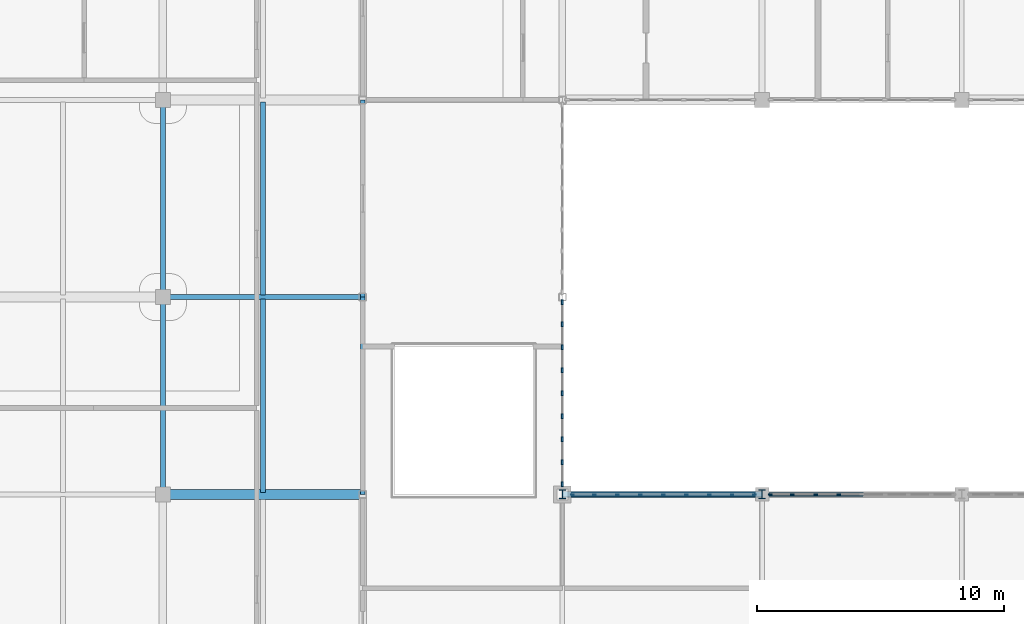
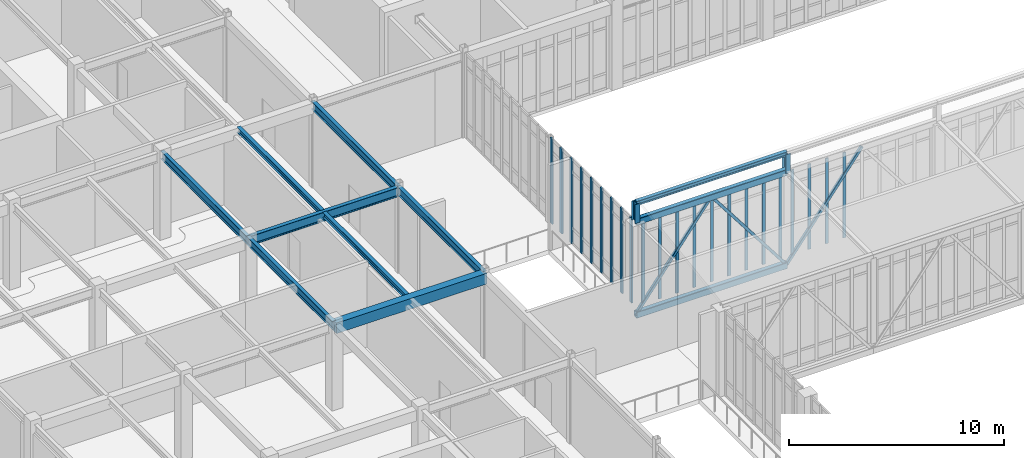
# One storey, part 27 of 107: 29 members, 9 beams, 3 elements without a shape of their own.
"""IFC4 building model written with IfcOpenShell, lengths in metres."""

import ifcopenshell
import ifcopenshell.guid

model = None  # the IFC model being written
_history = None  # IfcOwnerHistory: only IFC2X3 demands one
_inside = {}  # id of a spatial element -> (the spatial element, [elements in it])
_under = {}  # id of a project, library or spatial element -> (it, [spatial elements below it])
_declared = {}  # id of a project -> (the project, [libraries it declares])
_typed = {}  # id of a type object -> (the type object, [elements of that type])
_made_of = {}  # id of a material, layer set ... -> (it, [elements and type objects made of it])


def new_model(schema):
    """Start an empty IFC model of exactly this schema.

    Asked for "IFC4X3", IfcOpenShell would pick the latest addendum, in which some entities
    have other attributes; the version numbers below select the first issue.
    IFC2X3 requires an IfcOwnerHistory on every rooted entity: one is made here for all.
    """
    global model, _history
    if schema == "IFC4X3":
        model = ifcopenshell.file(schema_version=(4, 3, 0, 0))
    else:
        model = ifcopenshell.file(schema=schema)
    _inside.clear()
    _under.clear()
    _declared.clear()
    _typed.clear()
    _made_of.clear()
    _history = None
    if model.schema == "IFC2X3":
        org = make("IfcOrganization", Name="unknown")
        user = make(
            "IfcPersonAndOrganization",
            ThePerson=make("IfcPerson", FamilyName="unknown"),
            TheOrganization=org,
        )
        app = make(
            "IfcApplication",
            ApplicationDeveloper=org,
            Version="unknown",
            ApplicationFullName="unknown",
            ApplicationIdentifier="unknown",
        )
        _history = make(
            "IfcOwnerHistory",
            OwningUser=user,
            OwningApplication=app,
            ChangeAction="ADDED",
            CreationDate=0,
        )
    return model


def make(cls, **values):
    """One entity of the class cls with the attributes given. An attribute that is None is left unset."""
    return model.create_entity(
        cls, **{name: value for name, value in values.items() if value is not None}
    )


def rooted(cls, **values):
    """An entity with a GlobalId (a new one), such as an element, a storey or a relation."""
    return make(cls, GlobalId=ifcopenshell.guid.new(), OwnerHistory=_history, **values)


def si_unit(unit_type, name, prefix=None):
    """IfcSIUnit, for example si_unit("LENGTHUNIT", "METRE", prefix="MILLI")."""
    return make("IfcSIUnit", UnitType=unit_type, Prefix=prefix, Name=name)


def assignment(units):
    """IfcUnitAssignment: the units of a project."""
    return None if units is None else make("IfcUnitAssignment", Units=units)


def point(xyz):
    """IfcCartesianPoint."""
    return None if xyz is None else make("IfcCartesianPoint", Coordinates=xyz)


def direction(xyz):
    """IfcDirection."""
    return None if xyz is None else make("IfcDirection", DirectionRatios=xyz)


def frame(location, z_axis=None, x_axis=None):
    """IfcAxis2Placement3D, a coordinate frame: its origin and axes. An axis left out is left unset."""
    return make(
        "IfcAxis2Placement3D",
        Location=point(location),
        Axis=direction(z_axis),
        RefDirection=direction(x_axis),
    )


def frame_2d(location, x_axis=None):
    """IfcAxis2Placement2D, a coordinate frame in the plane: its origin and x axis."""
    return make(
        "IfcAxis2Placement2D", Location=point(location), RefDirection=direction(x_axis)
    )


def origin():
    """The frame at (0, 0, 0) with its axes left unset."""
    return frame((0.0, 0.0, 0.0))


def origin_2d():
    """The frame at (0, 0) in the plane with its x axis left unset."""
    return frame_2d((0.0, 0.0))


def place(relative_to, where):
    """IfcLocalPlacement: puts the frame where relative to a parent placement (None: the world)."""
    return make(
        "IfcLocalPlacement", PlacementRelTo=relative_to, RelativePlacement=where
    )


def context(
    kind, dimensions, precision=None, world=None, true_north=None, identifier=None
):
    """IfcGeometricRepresentationContext, for example the 3D "Model" context."""
    return make(
        "IfcGeometricRepresentationContext",
        ContextIdentifier=identifier,
        ContextType=kind,
        CoordinateSpaceDimension=dimensions,
        Precision=precision,
        WorldCoordinateSystem=world,
        TrueNorth=true_north,
    )


def subcontext(parent, identifier, kind, view, scale=None):
    """IfcGeometricRepresentationSubContext, for example "Body" below "Model"."""
    return make(
        "IfcGeometricRepresentationSubContext",
        ContextIdentifier=identifier,
        ContextType=kind,
        ParentContext=parent,
        TargetScale=scale,
        TargetView=view,
    )


def project(units=None, contexts=None):
    """IfcProject with its units and contexts."""
    return rooted(
        "IfcProject",
        Name="project",
        RepresentationContexts=contexts,
        UnitsInContext=assignment(units),
    )


def spatial(cls, under=None, at=None, **own):
    """A site, building, storey or space (cls), placed at a placement, below another one or the project."""
    s = rooted(cls, ObjectPlacement=at, **own)
    if under is not None:
        _under.setdefault(under.id(), (under, []))[1].append(s)
    return s


def profile(cls, at=None, kind="AREA", **sizes):
    """A parametric profile (cls). Its sizes go by their IFC names, for example OverallWidth=200.0."""
    return make(cls, ProfileType=kind, Position=at, **sizes)


def rectangle(**sizes):
    """IfcRectangleProfileDef."""
    return profile("IfcRectangleProfileDef", **sizes)


def hollow_rectangle(**sizes):
    """IfcRectangleHollowProfileDef."""
    return profile("IfcRectangleHollowProfileDef", **sizes)


def i_section(**sizes):
    """IfcIShapeProfileDef."""
    return profile("IfcIShapeProfileDef", **sizes)


def extrude(swept, where, along, depth):
    """IfcExtrudedAreaSolid: the profile swept, set in the frame where, extruded along a direction by depth."""
    return make(
        "IfcExtrudedAreaSolid",
        SweptArea=swept,
        Position=where,
        ExtrudedDirection=direction(along),
        Depth=depth,
    )


def shape(context_of_items, identifier, shape_type, items):
    """IfcShapeRepresentation: the items that make up one representation, for example the "Body"."""
    return make(
        "IfcShapeRepresentation",
        ContextOfItems=context_of_items,
        RepresentationIdentifier=identifier,
        RepresentationType=shape_type,
        Items=items,
    )


def material(Name=None, Category=None):
    """IfcMaterial."""
    return make("IfcMaterial", Name=Name, Category=Category)


def material_profile(
    of_material, cross_section, Name=None, Category=None, Priority=None
):
    """IfcMaterialProfile: a cross section and its material."""
    return make(
        "IfcMaterialProfile",
        Name=Name,
        Material=of_material,
        Profile=cross_section,
        Priority=Priority,
        Category=Category,
    )


def profile_set(profiles, Name=None, composite=None):
    """IfcMaterialProfileSet."""
    return make(
        "IfcMaterialProfileSet",
        Name=Name,
        MaterialProfiles=profiles,
        CompositeProfile=composite,
    )


def made_of(thing, what):
    """Note that an element or type object is made of a material, layer set ...; save() writes the relation."""
    if what is not None:
        _made_of.setdefault(what.id(), (what, []))[1].append(thing)
    return thing


def type_object(cls, material=None, **own):
    """A type object (cls), such as IfcWallType, which elements share."""
    return made_of(rooted(cls, **own), material)


def element(
    cls,
    number,
    at=None,
    inside=None,
    cuts=None,
    type_object=None,
    material=None,
    context=None,
    identifier="Body",
    shape_type=None,
    held_by="IfcProductDefinitionShape",
    body=None,
    shapes=None,
    **own,
):
    """One element of the class cls, such as IfcWall. Its Tag is "e" and its number.

    at: its placement. inside: the storey or other place that contains it. cuts: it is an
    opening in that element (IfcRelVoidsElement). A single representation is given by context,
    identifier, shape_type and body (its items); several are given by shapes. held_by: the class
    of the entity that holds the representations. save() writes the other relations.
    """
    e = rooted(cls, Tag="e%d" % number, ObjectPlacement=at, **own)
    if body is not None:
        shapes = [shape(context, identifier, shape_type, body)]
    if shapes is not None:
        e.Representation = make(held_by, Representations=shapes)
    if inside is not None:
        _inside.setdefault(inside.id(), (inside, []))[1].append(e)
    if cuts is not None:
        rooted(
            "IfcRelVoidsElement", RelatingBuildingElement=cuts, RelatedOpeningElement=e
        )
    if type_object is not None:
        _typed.setdefault(type_object.id(), (type_object, []))[1].append(e)
    return made_of(e, material)


def aggregate(whole, parts):
    """IfcRelAggregates: a whole, such as a stair, and the parts it consists of."""
    return rooted("IfcRelAggregates", RelatingObject=whole, RelatedObjects=parts)


def save(model, path):
    """Write the relations noted so far, then the file.

    IfcRelAggregates (storeys below a building ...), IfcRelContainedInSpatialStructure (elements
    in a storey), IfcRelDefinesByType, IfcRelAssociatesMaterial and IfcRelDeclares: one each for
    every whole, place, type object, material and project.
    """
    for whole, parts in _under.values():
        aggregate(whole, parts)
    for where, things in _inside.values():
        rooted(
            "IfcRelContainedInSpatialStructure",
            RelatedElements=things,
            RelatingStructure=where,
        )
    for kind, things in _typed.values():
        rooted("IfcRelDefinesByType", RelatedObjects=things, RelatingType=kind)
    for what, things in _made_of.values():
        rooted("IfcRelAssociatesMaterial", RelatedObjects=things, RelatingMaterial=what)
    for by, libraries in _declared.values():
        rooted("IfcRelDeclares", RelatingContext=by, RelatedDefinitions=libraries)
    model.write(path)


model = new_model("IFC4")

# Units and contexts
model_context = context("Model", 3, precision=1e-05, world=origin(), true_north=direction((0.0, 1.0)))
body_context = subcontext(model_context, "Body", "Model", "MODEL_VIEW")
ifc_project = project(units=[si_unit("LENGTHUNIT", "METRE"), si_unit("AREAUNIT", "SQUARE_METRE"), si_unit("VOLUMEUNIT", "CUBIC_METRE"), si_unit("PLANEANGLEUNIT", "RADIAN"), si_unit("MASSUNIT", "GRAM", prefix="KILO")], contexts=[model_context])

# Site, building, storey
site_placement = place(None, origin())
site = spatial("IfcSite", under=ifc_project, at=site_placement, CompositionType="ELEMENT")
building_placement = place(site_placement, origin())
building = spatial("IfcBuilding", under=site, at=building_placement, Name="Tarnveldt Square Police Headquarters", CompositionType="ELEMENT")
storey_placement = place(building_placement, frame((0.0, 0.0, 14.699951171875)))
storey = spatial("IfcBuildingStorey", under=building, at=storey_placement, Name="L03", CompositionType="ELEMENT", Elevation=14.699951171875)

# Beams
ifc_material_1 = material(Name="Concrete 40 MPa", Category="concrete")
ifc_material_profile_1 = material_profile(ifc_material_1, rectangle(XDim=0.39990234375, YDim=0.60009765625, at=origin_2d()), Name="RC-B400x600")
ifc_profile_set_1 = profile_set([ifc_material_profile_1], Name="Concrete 40 MPa")
beam_type_1 = type_object("IfcBeamType", Name="BM-RC400x600", PredefinedType="BEAM", material=ifc_profile_set_1)
beam_1_placement = place(storey_placement, frame((32.39990234375, 80.0, 4.5400390625), z_axis=(1.0, 0.0, 0.0), x_axis=(0.0, 1.0, 0.0)))
element("IfcBeam", 1, at=beam_1_placement, inside=storey, type_object=beam_type_1, Name="L04 Grid Girder X-0824", PredefinedType="BEAM", context=body_context, shape_type="SweptSolid", body=[
    extrude(rectangle(XDim=0.39990234375, YDim=0.60009765625, at=origin_2d()), origin(), (0.0, 0.0, 1.0), 8.10009765625),
])
ifc_material_2 = material(Name="Steel 350W", Category="steel")
ifc_material_profile_2 = material_profile(ifc_material_2, i_section(OverallWidth=0.202880859375, OverallDepth=0.251953125, WebThickness=0.008056640625, FlangeThickness=0.013427734375, FilletRadius=0.012939453125, at=origin_2d()), Name="W250x58")
ifc_profile_set_2 = profile_set([ifc_material_profile_2], Name="Steel 350W")
beam_type_2 = type_object("IfcBeamType", Name="BM-W250x58", PredefinedType="BEAM", material=ifc_profile_set_2)
beam_2_placement = place(storey_placement, frame((48.60009765625, 80.0, 5.89013671875), z_axis=(1.0, 0.0, 0.0), x_axis=(0.0, 1.0, 0.0)))
element("IfcBeam", 2, at=beam_2_placement, inside=storey, type_object=beam_type_2, Name="Skybridge SBN High Eave Beam 1", PredefinedType="BEAM", context=body_context, shape_type="SweptSolid", body=[
    extrude(i_section(OverallWidth=0.202880859375, OverallDepth=0.251953125, WebThickness=0.008056640625, FlangeThickness=0.013427734375, FilletRadius=0.012939453125, at=origin_2d()), origin(), (0.0, 0.0, 1.0), 8.099853515625),
])
ifc_material_profile_3 = material_profile(ifc_material_2, i_section(OverallWidth=0.202880859375, OverallDepth=0.302978515625, WebThickness=0.007568359375, FlangeThickness=0.01318359375, FilletRadius=0.014892578125, at=origin_2d()), Name="W310x60")
ifc_profile_set_3 = profile_set([ifc_material_profile_3], Name="Steel 350W")
beam_type_3 = type_object("IfcBeamType", Name="BM-W310x60", PredefinedType="JOIST", material=ifc_profile_set_3)
for number, where, z_axis, x_axis, name in (
    (3, (36.449951171875, 80.080078125, 4.6884765625), (0.0, 1.0, 0.0), (-1.0, 0.0, 0.0), "L04 Secondary Floor Joist 0192"),
    (4, (36.449951171875, 88.080078125, 4.6884765625), (0.0, 1.0, 0.0), (-1.0, 0.0, 0.0), "L04 Secondary Floor Joist 0196"),
):
    element("IfcBeam", number, at=place(storey_placement, frame(where, z_axis=z_axis, x_axis=x_axis)), inside=storey, type_object=beam_type_3, Name=name, PredefinedType="JOIST", context=body_context, shape_type="SweptSolid", body=[
        extrude(i_section(OverallWidth=0.202880859375, OverallDepth=0.302978515625, WebThickness=0.007568359375, FlangeThickness=0.01318359375, FilletRadius=0.014892578125, at=origin_2d()), origin(), (0.0, 0.0, 1.0), 7.83984375),
    ])
ifc_material_profile_4 = material_profile(ifc_material_2, i_section(OverallWidth=0.19189453125, OverallDepth=0.462890625, WebThickness=0.010498046875, FlangeThickness=0.017578125, FilletRadius=0.01806640625, at=origin_2d()), Name="W460x89")
ifc_profile_set_4 = profile_set([ifc_material_profile_4], Name="Steel 350W")
beam_type_4 = type_object("IfcBeamType", Name="BM-W460x89", PredefinedType="BEAM", material=ifc_profile_set_4)
for number, where, z_axis, x_axis, name in (
    (5, (32.39990234375, 80.0, 4.608642578125), (0.0, 1.0, 0.0), (-1.0, 0.0, 0.0), "L04 Grid Girder Y-0881"),
    (6, (32.39990234375, 88.0, 4.608642578125), (0.0, 1.0, 0.0), (-1.0, 0.0, 0.0), "L04 Grid Girder Y-0882"),
    (7, (40.5, 80.0, 4.608642578125), (0.0, 1.0, 0.0), (-1.0, 0.0, 0.0), "L04 Grid Girder Y-0890"),
    (8, (40.5, 88.0, 4.608642578125), (0.0, 1.0, 0.0), (-1.0, 0.0, 0.0), "L04 Grid Girder Y-0891"),
):
    element("IfcBeam", number, at=place(storey_placement, frame(where, z_axis=z_axis, x_axis=x_axis)), inside=storey, type_object=beam_type_4, Name=name, PredefinedType="BEAM", context=body_context, shape_type="SweptSolid", body=[
        extrude(i_section(OverallWidth=0.19189453125, OverallDepth=0.462890625, WebThickness=0.010498046875, FlangeThickness=0.017578125, FilletRadius=0.01806640625, at=origin_2d()), origin(), (0.0, 0.0, 1.0), 8.0),
    ])
ifc_material_profile_5 = material_profile(ifc_material_2, i_section(OverallWidth=0.208984375, OverallDepth=0.532958984375, WebThickness=0.01025390625, FlangeThickness=0.015625, FilletRadius=0.01904296875, at=origin_2d()), Name="W530x92")
ifc_profile_set_5 = profile_set([ifc_material_profile_5], Name="Steel 350W")
beam_type_5 = type_object("IfcBeamType", Name="BM-W530x92", PredefinedType="BEAM", material=ifc_profile_set_5)
beam_3_placement = place(storey_placement, frame((32.39990234375, 88.0, 4.573486328125), z_axis=(1.0, 0.0, 0.0), x_axis=(0.0, 1.0, 0.0)))
element("IfcBeam", 9, at=beam_3_placement, inside=storey, type_object=beam_type_5, Name="L04 Grid Girder X-0829", PredefinedType="BEAM", context=body_context, shape_type="SweptSolid", body=[
    extrude(i_section(OverallWidth=0.208984375, OverallDepth=0.532958984375, WebThickness=0.01025390625, FlangeThickness=0.015625, FilletRadius=0.01904296875, at=origin_2d()), origin(), (0.0, 0.0, 1.0), 8.10009765625),
])

# Curtain wall, members
ifc_material_3 = material(Name="Triple-glazed low-e laminated vision glass", Category="glass")
curtain_wall_type_1 = type_object("IfcCurtainWallType", Name="CW-SB-744x484", PredefinedType="USERDEFINED", material=ifc_material_3)
curtain_wall_1_placement = place(storey_placement, origin())
curtain_wall_1 = element("IfcCurtainWall", 10, at=curtain_wall_1_placement, inside=storey, type_object=curtain_wall_type_1, Name="L03 Curtain Wall CW-L03-159", ObjectType="GLAZED CURTAIN WALL", PredefinedType="USERDEFINED")
ifc_material_4 = material(Name="Thermally broken anodised aluminium 6063-T6", Category="aluminium")
ifc_material_profile_6 = material_profile(ifc_material_4, rectangle(XDim=0.06494140625, YDim=0.159912109375, at=origin_2d()), Name="CW-M65x160")
ifc_profile_set_6 = profile_set([ifc_material_profile_6], Name="Thermally broken anodised aluminium 6063-T6")
member_type_1 = type_object("IfcMemberType", Name="CWM-65x160", PredefinedType="MULLION", material=ifc_profile_set_6)
member_1_placement = place(storey_placement, frame((48.99755859375, 80.0, 0.0), z_axis=(0.0, 0.0, 1.0), x_axis=(0.0, 1.0, 0.0)))
member_1 = element("IfcMember", 11, at=member_1_placement, type_object=member_type_1, Name="CW-SB94 mullion 1", PredefinedType="MULLION", context=body_context, shape_type="SweptSolid", body=[
    extrude(rectangle(XDim=0.06494140625, YDim=0.159912109375, at=origin_2d()), origin(), (0.0, 0.0, 1.0), 4.840087890625),
])
member_2_placement = place(storey_placement, frame((49.8955078125, 80.0, 0.0), z_axis=(0.0, 0.0, 1.0), x_axis=(0.0, 1.0, 0.0)))
member_2 = element("IfcMember", 12, at=member_2_placement, type_object=member_type_1, Name="CW-SB94 mullion 2", PredefinedType="MULLION", context=body_context, shape_type="SweptSolid", body=[
    extrude(rectangle(XDim=0.06494140625, YDim=0.159912109375, at=origin_2d()), origin(), (0.0, 0.0, 1.0), 4.840087890625),
])
member_3_placement = place(storey_placement, frame((50.826171875, 80.0, 0.0), z_axis=(0.0, 0.0, 1.0), x_axis=(0.0, 1.0, 0.0)))
member_3 = element("IfcMember", 13, at=member_3_placement, type_object=member_type_1, Name="CW-SB94 mullion 3", PredefinedType="MULLION", context=body_context, shape_type="SweptSolid", body=[
    extrude(rectangle(XDim=0.06494140625, YDim=0.159912109375, at=origin_2d()), origin(), (0.0, 0.0, 1.0), 4.840087890625),
])
member_4_placement = place(storey_placement, frame((51.7568359375, 80.0, 0.0), z_axis=(0.0, 0.0, 1.0), x_axis=(0.0, 1.0, 0.0)))
member_4 = element("IfcMember", 14, at=member_4_placement, type_object=member_type_1, Name="CW-SB94 mullion 4", PredefinedType="MULLION", context=body_context, shape_type="SweptSolid", body=[
    extrude(rectangle(XDim=0.06494140625, YDim=0.159912109375, at=origin_2d()), origin(), (0.0, 0.0, 1.0), 4.840087890625),
])
member_5_placement = place(storey_placement, frame((52.6875, 80.0, 0.0), z_axis=(0.0, 0.0, 1.0), x_axis=(0.0, 1.0, 0.0)))
member_5 = element("IfcMember", 15, at=member_5_placement, type_object=member_type_1, Name="CW-SB94 mullion 5", PredefinedType="MULLION", context=body_context, shape_type="SweptSolid", body=[
    extrude(rectangle(XDim=0.06494140625, YDim=0.159912109375, at=origin_2d()), origin(), (0.0, 0.0, 1.0), 4.840087890625),
])
member_6_placement = place(storey_placement, frame((53.6181640625, 80.0, 0.0), z_axis=(0.0, 0.0, 1.0), x_axis=(0.0, 1.0, 0.0)))
member_6 = element("IfcMember", 16, at=member_6_placement, type_object=member_type_1, Name="CW-SB94 mullion 6", PredefinedType="MULLION", context=body_context, shape_type="SweptSolid", body=[
    extrude(rectangle(XDim=0.06494140625, YDim=0.159912109375, at=origin_2d()), origin(), (0.0, 0.0, 1.0), 4.840087890625),
])
member_7_placement = place(storey_placement, frame((54.548828125, 80.0, 0.0), z_axis=(0.0, 0.0, 1.0), x_axis=(0.0, 1.0, 0.0)))
member_7 = element("IfcMember", 17, at=member_7_placement, type_object=member_type_1, Name="CW-SB94 mullion 7", PredefinedType="MULLION", context=body_context, shape_type="SweptSolid", body=[
    extrude(rectangle(XDim=0.06494140625, YDim=0.159912109375, at=origin_2d()), origin(), (0.0, 0.0, 1.0), 4.840087890625),
])
member_8_placement = place(storey_placement, frame((55.4794921875, 80.0, 0.0), z_axis=(0.0, 0.0, 1.0), x_axis=(0.0, 1.0, 0.0)))
member_8 = element("IfcMember", 18, at=member_8_placement, type_object=member_type_1, Name="CW-SB94 mullion 8", PredefinedType="MULLION", context=body_context, shape_type="SweptSolid", body=[
    extrude(rectangle(XDim=0.06494140625, YDim=0.159912109375, at=origin_2d()), origin(), (0.0, 0.0, 1.0), 4.840087890625),
])
member_9_placement = place(storey_placement, frame((56.37744140625, 80.0, 0.0), z_axis=(0.0, 0.0, 1.0), x_axis=(0.0, 1.0, 0.0)))
member_9 = element("IfcMember", 19, at=member_9_placement, type_object=member_type_1, Name="CW-SB94 mullion 9", PredefinedType="MULLION", context=body_context, shape_type="SweptSolid", body=[
    extrude(rectangle(XDim=0.06494140625, YDim=0.159912109375, at=origin_2d()), origin(), (0.0, 0.0, 1.0), 4.840087890625),
])
aggregate(curtain_wall_1, [member_1, member_2, member_3, member_4, member_5, member_6, member_7, member_8, member_9])

curtain_wall_type_2 = type_object("IfcCurtainWallType", Name="CW-SB-752x484", PredefinedType="USERDEFINED", material=ifc_material_3)
curtain_wall_2_placement = place(storey_placement, origin())
curtain_wall_2 = element("IfcCurtainWall", 20, at=curtain_wall_2_placement, inside=storey, type_object=curtain_wall_type_2, Name="L03 Curtain Wall CW-L03-160", ObjectType="GLAZED CURTAIN WALL", PredefinedType="USERDEFINED")
member_10_placement = place(storey_placement, frame((57.0224609375, 80.0, 0.0), z_axis=(0.0, 0.0, 1.0), x_axis=(0.0, 1.0, 0.0)))
member_10 = element("IfcMember", 21, at=member_10_placement, type_object=member_type_1, Name="CW-SB95 mullion 1", PredefinedType="MULLION", context=body_context, shape_type="SweptSolid", body=[
    extrude(rectangle(XDim=0.06494140625, YDim=0.159912109375, at=origin_2d()), origin(), (0.0, 0.0, 1.0), 4.840087890625),
])
member_11_placement = place(storey_placement, frame((57.929931640625, 80.0, 0.0), z_axis=(0.0, 0.0, 1.0), x_axis=(0.0, 1.0, 0.0)))
member_11 = element("IfcMember", 22, at=member_11_placement, type_object=member_type_1, Name="CW-SB95 mullion 2", PredefinedType="MULLION", context=body_context, shape_type="SweptSolid", body=[
    extrude(rectangle(XDim=0.06494140625, YDim=0.159912109375, at=origin_2d()), origin(), (0.0, 0.0, 1.0), 4.840087890625),
])
member_12_placement = place(storey_placement, frame((58.8701171875, 80.0, 0.0), z_axis=(0.0, 0.0, 1.0), x_axis=(0.0, 1.0, 0.0)))
member_12 = element("IfcMember", 23, at=member_12_placement, type_object=member_type_1, Name="CW-SB95 mullion 3", PredefinedType="MULLION", context=body_context, shape_type="SweptSolid", body=[
    extrude(rectangle(XDim=0.06494140625, YDim=0.159912109375, at=origin_2d()), origin(), (0.0, 0.0, 1.0), 4.840087890625),
])
member_13_placement = place(storey_placement, frame((59.81005859375, 80.0, 0.0), z_axis=(0.0, 0.0, 1.0), x_axis=(0.0, 1.0, 0.0)))
member_13 = element("IfcMember", 24, at=member_13_placement, type_object=member_type_1, Name="CW-SB95 mullion 4", PredefinedType="MULLION", context=body_context, shape_type="SweptSolid", body=[
    extrude(rectangle(XDim=0.06494140625, YDim=0.159912109375, at=origin_2d()), origin(), (0.0, 0.0, 1.0), 4.840087890625),
])
aggregate(curtain_wall_2, [member_10, member_11, member_12, member_13])

curtain_wall_type_3 = type_object("IfcCurtainWallType", Name="CW-WG-747x484", PredefinedType="USERDEFINED", material=ifc_material_3)
curtain_wall_3_placement = place(storey_placement, origin())
curtain_wall_3 = element("IfcCurtainWall", 25, at=curtain_wall_3_placement, inside=storey, type_object=curtain_wall_type_3, Name="L03 Curtain Wall CW-L03-081", ObjectType="GLAZED CURTAIN WALL", PredefinedType="USERDEFINED")
ifc_material_profile_7 = material_profile(ifc_material_4, rectangle(XDim=0.074951171875, YDim=0.199951171875, at=origin_2d()), Name="CW-M75x200")
ifc_profile_set_7 = profile_set([ifc_material_profile_7], Name="Thermally broken anodised aluminium 6063-T6")
member_type_2 = type_object("IfcMemberType", Name="CWM-75x200", PredefinedType="MULLION", material=ifc_profile_set_7)
member_14_placement = place(storey_placement, frame((48.60009765625, 80.402587890625, 0.0), z_axis=(0.0, 0.0, 1.0), x_axis=(-1.0, 0.0, 0.0)))
member_14 = element("IfcMember", 26, at=member_14_placement, type_object=member_type_2, Name="CW-WG38 mullion 1", PredefinedType="MULLION", context=body_context, shape_type="SweptSolid", body=[
    extrude(rectangle(XDim=0.074951171875, YDim=0.199951171875, at=origin_2d()), origin(), (0.0, 0.0, 1.0), 4.840087890625),
])
member_15_placement = place(storey_placement, frame((48.60009765625, 81.29833984375, 0.0), z_axis=(0.0, 0.0, 1.0), x_axis=(-1.0, 0.0, 0.0)))
member_15 = element("IfcMember", 27, at=member_15_placement, type_object=member_type_2, Name="CW-WG38 mullion 2", PredefinedType="MULLION", context=body_context, shape_type="SweptSolid", body=[
    extrude(rectangle(XDim=0.074951171875, YDim=0.199951171875, at=origin_2d()), origin(), (0.0, 0.0, 1.0), 4.840087890625),
])
member_16_placement = place(storey_placement, frame((48.60009765625, 82.23193359375, 0.0), z_axis=(0.0, 0.0, 1.0), x_axis=(-1.0, 0.0, 0.0)))
member_16 = element("IfcMember", 28, at=member_16_placement, type_object=member_type_2, Name="CW-WG38 mullion 3", PredefinedType="MULLION", context=body_context, shape_type="SweptSolid", body=[
    extrude(rectangle(XDim=0.074951171875, YDim=0.199951171875, at=origin_2d()), origin(), (0.0, 0.0, 1.0), 4.840087890625),
])
member_17_placement = place(storey_placement, frame((48.60009765625, 83.165283203125, 0.0), z_axis=(0.0, 0.0, 1.0), x_axis=(-1.0, 0.0, 0.0)))
member_17 = element("IfcMember", 29, at=member_17_placement, type_object=member_type_2, Name="CW-WG38 mullion 4", PredefinedType="MULLION", context=body_context, shape_type="SweptSolid", body=[
    extrude(rectangle(XDim=0.074951171875, YDim=0.199951171875, at=origin_2d()), origin(), (0.0, 0.0, 1.0), 4.840087890625),
])
member_18_placement = place(storey_placement, frame((48.60009765625, 84.098876953125, 0.0), z_axis=(0.0, 0.0, 1.0), x_axis=(-1.0, 0.0, 0.0)))
member_18 = element("IfcMember", 30, at=member_18_placement, type_object=member_type_2, Name="CW-WG38 mullion 5", PredefinedType="MULLION", context=body_context, shape_type="SweptSolid", body=[
    extrude(rectangle(XDim=0.074951171875, YDim=0.199951171875, at=origin_2d()), origin(), (0.0, 0.0, 1.0), 4.840087890625),
])
member_19_placement = place(storey_placement, frame((48.60009765625, 85.0322265625, 0.0), z_axis=(0.0, 0.0, 1.0), x_axis=(-1.0, 0.0, 0.0)))
member_19 = element("IfcMember", 31, at=member_19_placement, type_object=member_type_2, Name="CW-WG38 mullion 6", PredefinedType="MULLION", context=body_context, shape_type="SweptSolid", body=[
    extrude(rectangle(XDim=0.074951171875, YDim=0.199951171875, at=origin_2d()), origin(), (0.0, 0.0, 1.0), 4.840087890625),
])
member_20_placement = place(storey_placement, frame((48.60009765625, 85.9658203125, 0.0), z_axis=(0.0, 0.0, 1.0), x_axis=(-1.0, 0.0, 0.0)))
member_20 = element("IfcMember", 32, at=member_20_placement, type_object=member_type_2, Name="CW-WG38 mullion 7", PredefinedType="MULLION", context=body_context, shape_type="SweptSolid", body=[
    extrude(rectangle(XDim=0.074951171875, YDim=0.199951171875, at=origin_2d()), origin(), (0.0, 0.0, 1.0), 4.840087890625),
])
member_21_placement = place(storey_placement, frame((48.60009765625, 86.899169921875, 0.0), z_axis=(0.0, 0.0, 1.0), x_axis=(-1.0, 0.0, 0.0)))
member_21 = element("IfcMember", 33, at=member_21_placement, type_object=member_type_2, Name="CW-WG38 mullion 8", PredefinedType="MULLION", context=body_context, shape_type="SweptSolid", body=[
    extrude(rectangle(XDim=0.074951171875, YDim=0.199951171875, at=origin_2d()), origin(), (0.0, 0.0, 1.0), 4.840087890625),
])
member_22_placement = place(storey_placement, frame((48.60009765625, 87.795166015625, 0.0), z_axis=(0.0, 0.0, 1.0), x_axis=(-1.0, 0.0, 0.0)))
member_22 = element("IfcMember", 34, at=member_22_placement, type_object=member_type_2, Name="CW-WG38 mullion 9", PredefinedType="MULLION", context=body_context, shape_type="SweptSolid", body=[
    extrude(rectangle(XDim=0.074951171875, YDim=0.199951171875, at=origin_2d()), origin(), (0.0, 0.0, 1.0), 4.840087890625),
])
aggregate(curtain_wall_3, [member_14, member_15, member_16, member_17, member_18, member_19, member_20, member_21, member_22])

# Members
ifc_material_profile_8 = material_profile(ifc_material_2, i_section(OverallWidth=0.257080078125, OverallDepth=0.363037109375, WebThickness=0.012939453125, FlangeThickness=0.021728515625, FilletRadius=0.01611328125, at=origin_2d()), Name="W360x122")
ifc_profile_set_8 = profile_set([ifc_material_profile_8], Name="Steel 350W")
member_type_3 = type_object("IfcMemberType", Name="MEM-CT-POST", PredefinedType="STRUT", material=ifc_profile_set_8)
for number, where, z_axis, x_axis, name in (
    (35, (48.60009765625, 80.0, 4.85009765625), (0.0, 0.0, 1.0), (1.0, 0.0, 0.0), "Skybridge SBN Roof Post 1"),
    (36, (56.699951171875, 80.0, 4.85009765625), (0.0, 0.0, 1.0), (1.0, 0.0, 0.0), "Skybridge SBN Roof Post 2"),
):
    element("IfcMember", number, at=place(storey_placement, frame(where, z_axis=z_axis, x_axis=x_axis)), inside=storey, type_object=member_type_3, Name=name, PredefinedType="STRUT", context=body_context, shape_type="SweptSolid", body=[
        extrude(i_section(OverallWidth=0.257080078125, OverallDepth=0.363037109375, WebThickness=0.012939453125, FlangeThickness=0.021728515625, FilletRadius=0.01611328125, at=origin_2d()), origin(), (0.0, 0.0, 1.0), 1.079833984375),
    ])
ifc_material_profile_9 = material_profile(ifc_material_2, hollow_rectangle(XDim=0.25390625, YDim=0.355712890625, WallThickness=0.015869140625, InnerFilletRadius=0.015869140625, OuterFilletRadius=0.03173828125, at=origin_2d()), Name="HSS356x254x16")
ifc_profile_set_9 = profile_set([ifc_material_profile_9], Name="Steel 350W")
member_type_4 = type_object("IfcMemberType", Name="MEM-SB-CHORD", PredefinedType="CHORD", material=ifc_profile_set_9)
for number, where, z_axis, x_axis, name in (
    (37, (48.60009765625, 80.0, -0.43994140625), (1.0, 0.0, 0.0), (0.0, 1.0, 0.0), "Skybridge SBN Bottom Chord N1"),
    (38, (48.60009765625, 80.0, 4.85009765625), (1.0, 0.0, 0.0), (0.0, 1.0, 0.0), "Skybridge SBN Top Chord N1"),
):
    element("IfcMember", number, at=place(storey_placement, frame(where, z_axis=z_axis, x_axis=x_axis)), inside=storey, type_object=member_type_4, Name=name, PredefinedType="CHORD", context=body_context, shape_type="SweptSolid", body=[
        extrude(hollow_rectangle(XDim=0.25390625, YDim=0.355712890625, WallThickness=0.015869140625, InnerFilletRadius=0.015869140625, OuterFilletRadius=0.03173828125, at=origin_2d()), origin(), (0.0, 0.0, 1.0), 8.099853515625),
    ])
ifc_material_profile_10 = material_profile(ifc_material_2, hollow_rectangle(XDim=0.15234375, YDim=0.15234375, WallThickness=0.009521484375, InnerFilletRadius=0.009521484375, OuterFilletRadius=0.01904296875, at=origin_2d()), Name="HSS152x152x9.5")
ifc_profile_set_10 = profile_set([ifc_material_profile_10], Name="Steel 350W")
member_type_5 = type_object("IfcMemberType", Name="MEM-SB-WEB", PredefinedType="BRACE", material=ifc_profile_set_10)
for number, where, z_axis, x_axis, name in (
    (39, (48.60009765625, 80.0, -0.43994140625), (0.607874403773, 0.0, 0.794033191521), (0.0, 1.0, 0.0), "Skybridge SBN Web A1"),
    (40, (56.699951171875, 80.0, -0.43994140625), (-0.607897507531, 0.0, 0.794015503839), (0.0, -1.0, 0.0), "Skybridge SBN Web B1"),
    (41, (56.699951171875, 80.0, -0.43994140625), (0.607897507531, 0.0, 0.794015503839), (0.0, 1.0, 0.0), "Skybridge SBN Web A2"),
):
    element("IfcMember", number, at=place(storey_placement, frame(where, z_axis=z_axis, x_axis=x_axis)), inside=storey, type_object=member_type_5, Name=name, PredefinedType="BRACE", context=body_context, shape_type="SweptSolid", body=[
        extrude(hollow_rectangle(XDim=0.15234375, YDim=0.15234375, WallThickness=0.009521484375, InnerFilletRadius=0.009521484375, OuterFilletRadius=0.01904296875, at=origin_2d()), origin(), (0.0, 0.0, 1.0), 6.662353515625),
    ])

save(model, "model.ifc")
